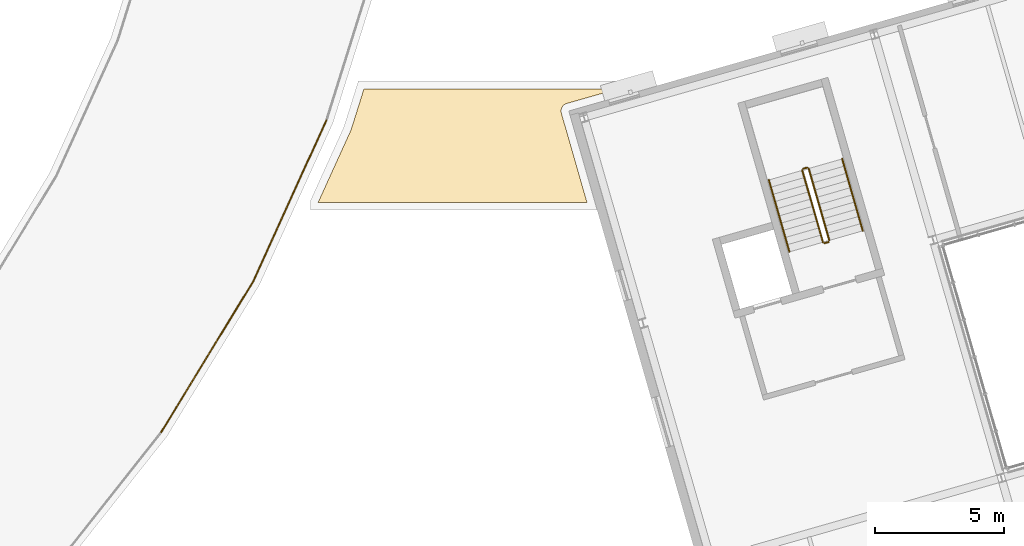
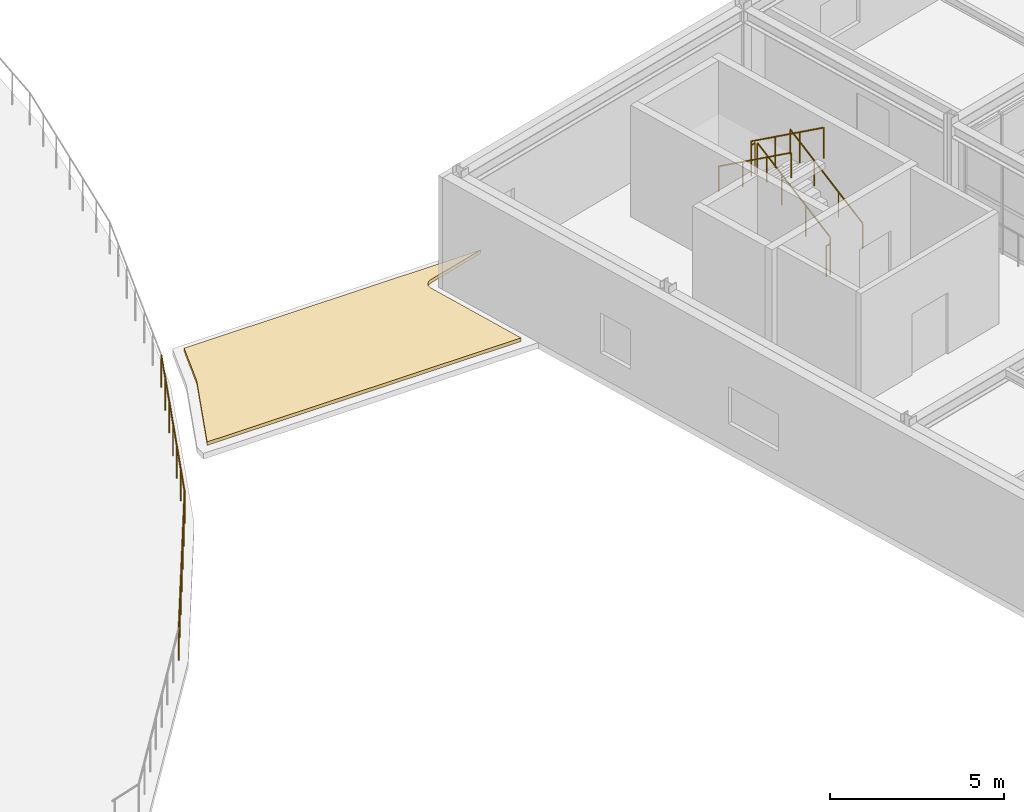
# One storey, part 50 of 59: 8 railings, 1 covering.
"""IFC4 building model written with IfcOpenShell, lengths in metres."""

from ifc_helpers import new_model, si_unit, direction, frame, origin, origin_2d, place, context, subcontext, project, spatial, polyline, circle, outline, extrude, material, layer, layer_set, type_object, element, save


model = new_model("IFC4")

# Units and contexts
model_context = context("Model", 3, precision=1e-05, world=origin(), true_north=direction((0.0, 1.0)))
body_context = subcontext(model_context, "Body", "Model", "MODEL_VIEW")
ifc_project = project(units=[si_unit("LENGTHUNIT", "METRE"), si_unit("AREAUNIT", "SQUARE_METRE"), si_unit("VOLUMEUNIT", "CUBIC_METRE"), si_unit("PLANEANGLEUNIT", "RADIAN"), si_unit("MASSUNIT", "GRAM", prefix="KILO")], contexts=[model_context])

# Site, building, storey
site_placement = place(None, origin())
site = spatial("IfcSite", under=ifc_project, at=site_placement, CompositionType="ELEMENT")
building_placement = place(site_placement, origin())
building = spatial("IfcBuilding", under=site, at=building_placement, Name="Varnklinge Art Gallery", CompositionType="ELEMENT")
storey_placement = place(building_placement, frame((0.0, 0.0, 9.52001953125)))
storey = spatial("IfcBuildingStorey", under=building, at=storey_placement, Name="L02", CompositionType="ELEMENT", Elevation=9.52001953125)

# Railings
ifc_material_1 = material(Name="Steel S355", Category="steel")
railing_type_1 = type_object("IfcRailingType", Name="GR-EXT", PredefinedType="GUARDRAIL", material=ifc_material_1)
railing_1_placement = place(storey_placement, frame((101.210205078125, 22.783203125, 0.0)))
element("IfcRailing", 1, at=railing_1_placement, inside=storey, type_object=railing_type_1, Name="L02 Roof Sculpture Garden Guardrail O02.1", PredefinedType="GUARDRAIL", context=body_context, shape_type="SweptSolid", body=[
    extrude(circle(Radius=0.02392578125, at=origin_2d()), frame((0.0, 0.0, 1.1259765625), z_axis=(0.520918310776, 0.853606533186, 0.0), x_axis=(-0.853606533186, 0.520918310776, 0.0)), (0.0, 0.0, 1.0), 6.854736328125),
    extrude(circle(Radius=0.02099609375, at=origin_2d()), origin(), (0.0, 0.0, 1.0), 1.101806640625),
    extrude(circle(Radius=0.02099609375, at=origin_2d()), frame((0.59521484375, 0.97509765625, 0.0)), (0.0, 0.0, 1.0), 1.101806640625),
    extrude(circle(Radius=0.02099609375, at=origin_2d()), frame((1.190185546875, 1.950439453125, 0.0)), (0.0, 0.0, 1.0), 1.101806640625),
    extrude(circle(Radius=0.02099609375, at=origin_2d()), frame((1.785400390625, 2.92578125, 0.0)), (0.0, 0.0, 1.0), 1.101806640625),
    extrude(circle(Radius=0.02099609375, at=origin_2d()), frame((2.380615234375, 3.90087890625, 0.0)), (0.0, 0.0, 1.0), 1.101806640625),
    extrude(circle(Radius=0.02099609375, at=origin_2d()), frame((2.9755859375, 4.8759765625, 0.0)), (0.0, 0.0, 1.0), 1.101806640625),
    extrude(circle(Radius=0.02099609375, at=origin_2d()), frame((3.57080078125, 5.851318359375, 0.0)), (0.0, 0.0, 1.0), 1.101806640625),
])
railing_2_placement = place(storey_placement, frame((104.781005859375, 28.634521484375, 0.0)))
element("IfcRailing", 2, at=railing_2_placement, inside=storey, type_object=railing_type_1, Name="L02 Roof Sculpture Garden Guardrail O03.1", PredefinedType="GUARDRAIL", context=body_context, shape_type="SweptSolid", body=[
    extrude(circle(Radius=0.02392578125, at=origin_2d()), frame((0.0, 0.0, 1.1259765625), z_axis=(0.413395061382, 0.910551768558, 0.0), x_axis=(-0.910551768558, 0.413395061382, 0.0)), (0.0, 0.0, 1.0), 6.85546875),
    extrude(circle(Radius=0.02099609375, at=origin_2d()), origin(), (0.0, 0.0, 1.0), 1.101806640625),
    extrude(circle(Radius=0.02099609375, at=origin_2d()), frame((0.472412109375, 1.040283203125, 0.0)), (0.0, 0.0, 1.0), 1.101806640625),
    extrude(circle(Radius=0.02099609375, at=origin_2d()), frame((0.944580078125, 2.080810546875, 0.0)), (0.0, 0.0, 1.0), 1.101806640625),
    extrude(circle(Radius=0.02099609375, at=origin_2d()), frame((1.4169921875, 3.12109375, 0.0)), (0.0, 0.0, 1.0), 1.101806640625),
    extrude(circle(Radius=0.02099609375, at=origin_2d()), frame((1.889404296875, 4.161376953125, 0.0)), (0.0, 0.0, 1.0), 1.101806640625),
    extrude(circle(Radius=0.02099609375, at=origin_2d()), frame((2.361572265625, 5.201904296875, 0.0)), (0.0, 0.0, 1.0), 1.101806640625),
    extrude(circle(Radius=0.02099609375, at=origin_2d()), frame((2.833984375, 6.2421875, 0.0)), (0.0, 0.0, 1.0), 1.101806640625),
])
ifc_material_2 = material(Name="Steel S355", Category="steel")
railing_type_2 = type_object("IfcRailingType", Name="GR-INT", PredefinedType="GUARDRAIL", material=ifc_material_2)
railing_3_placement = place(storey_placement, frame((127.11669921875, 30.222412109375, 0.18896484375)))
element("IfcRailing", 3, at=railing_3_placement, inside=storey, type_object=railing_type_2, Name="L02 ST-05 stair guard 1", PredefinedType="GUARDRAIL", context=body_context, shape_type="SweptSolid", body=[
    extrude(circle(Radius=0.02392578125, at=origin_2d()), frame((0.0, 0.0, 1.076171875), z_axis=(-0.230878289802, 0.80518274678, 0.546238006355), x_axis=(-0.961263007877, -0.275632780503, 0.0)), (0.0, 0.0, 1.0), 3.462158203125),
    extrude(circle(Radius=0.02099609375, at=origin_2d()), origin(), (0.0, 0.0, 1.0), 1.052001953125),
    extrude(circle(Radius=0.02099609375, at=origin_2d()), frame((-0.266357421875, 0.92919921875, 0.63037109375)), (0.0, 0.0, 1.0), 1.052001953125),
    extrude(circle(Radius=0.02099609375, at=origin_2d()), frame((-0.532958984375, 1.8583984375, 1.2607421875)), (0.0, 0.0, 1.0), 1.052001953125),
    extrude(circle(Radius=0.02099609375, at=origin_2d()), frame((-0.79931640625, 2.78759765625, 1.89111328125)), (0.0, 0.0, 1.0), 1.052001953125),
])
railing_4_placement = place(storey_placement, frame((126.255615234375, 33.044189453125, 2.080078125)))
element("IfcRailing", 4, at=railing_4_placement, inside=storey, type_object=railing_type_2, Name="L02 ST-05 stair guard 2", PredefinedType="GUARDRAIL", context=body_context, shape_type="SweptSolid", body=[
    extrude(circle(Radius=0.02392578125, at=origin_2d()), frame((0.0, 0.0, 1.076171875), z_axis=(-0.961523947641, -0.274721127897, 0.0), x_axis=(0.274721127897, -0.961523947641, 0.0)), (0.0, 0.0, 1.0), 0.159912109375),
    extrude(circle(Radius=0.02099609375, at=origin_2d()), origin(), (0.0, 0.0, 1.0), 1.052001953125),
    extrude(circle(Radius=0.02099609375, at=origin_2d()), frame((-0.15380859375, -0.0439453125, 0.0)), (0.0, 0.0, 1.0), 1.052001953125),
])
railing_5_placement = place(storey_placement, frame((126.067626953125, 32.938232421875, 2.26904296875)))
element("IfcRailing", 5, at=railing_5_placement, inside=storey, type_object=railing_type_2, Name="L02 ST-05 stair guard 3", PredefinedType="GUARDRAIL", context=body_context, shape_type="SweptSolid", body=[
    extrude(circle(Radius=0.02392578125, at=origin_2d()), frame((0.0, 0.0, 1.076171875), z_axis=(0.230887183174, -0.805213762213, 0.546188525866), x_axis=(0.961263007877, 0.275632780503, 0.0)), (0.0, 0.0, 1.0), 3.4619140625),
    extrude(circle(Radius=0.02099609375, at=origin_2d()), origin(), (0.0, 0.0, 1.0), 1.052001953125),
    extrude(circle(Radius=0.02099609375, at=origin_2d()), frame((0.266357421875, -0.92919921875, 0.63037109375)), (0.0, 0.0, 1.0), 1.052001953125),
    extrude(circle(Radius=0.02099609375, at=origin_2d()), frame((0.532958984375, -1.8583984375, 1.260498046875)), (0.0, 0.0, 1.0), 1.052001953125),
    extrude(circle(Radius=0.02099609375, at=origin_2d()), frame((0.79931640625, -2.78759765625, 1.890869140625)), (0.0, 0.0, 1.0), 1.052001953125),
])
railing_6_placement = place(storey_placement, frame((127.08251953125, 30.160400390625, 0.0)))
element("IfcRailing", 6, at=railing_6_placement, inside=storey, type_object=railing_type_2, Name="L02 ST-05 stair guard 4", PredefinedType="GUARDRAIL", context=body_context, shape_type="SweptSolid", body=[
    extrude(circle(Radius=0.02392578125, at=origin_2d()), frame((0.0, 0.0, 1.076171875), z_axis=(-0.961523947641, -0.274721127897, 0.0), x_axis=(0.274721127897, -0.961523947641, 0.0)), (0.0, 0.0, 1.0), 0.159912109375),
    extrude(circle(Radius=0.02099609375, at=origin_2d()), origin(), (0.0, 0.0, 1.0), 1.052001953125),
    extrude(circle(Radius=0.02099609375, at=origin_2d()), frame((-0.15380859375, -0.0439453125, 0.0)), (0.0, 0.0, 1.0), 1.052001953125),
])
ifc_material_3 = material(Name="Steel S355", Category="steel")
railing_type_3 = type_object("IfcRailingType", Name="HR-01", PredefinedType="HANDRAIL", material=ifc_material_3)
railing_7_placement = place(storey_placement, frame((128.41455078125, 30.594482421875, 0.18896484375)))
element("IfcRailing", 7, at=railing_7_placement, inside=storey, type_object=railing_type_3, Name="L02 ST-05 stair handrail 1", PredefinedType="HANDRAIL", context=body_context, shape_type="SweptSolid", body=[
    extrude(circle(Radius=0.02392578125, at=origin_2d()), frame((0.0, 0.0, 0.8759765625), z_axis=(-0.230878289802, 0.80518274678, 0.546238006355), x_axis=(-0.961263007877, -0.275632780503, 0.0)), (0.0, 0.0, 1.0), 3.462158203125),
    extrude(circle(Radius=0.02099609375, at=origin_2d()), origin(), (0.0, 0.0, 1.0), 0.851806640625),
    extrude(circle(Radius=0.02099609375, at=origin_2d()), frame((-0.266357421875, 0.92919921875, 0.63037109375)), (0.0, 0.0, 1.0), 0.851806640625),
    extrude(circle(Radius=0.02099609375, at=origin_2d()), frame((-0.532958984375, 1.8583984375, 1.2607421875)), (0.0, 0.0, 1.0), 0.851806640625),
    extrude(circle(Radius=0.02099609375, at=origin_2d()), frame((-0.79931640625, 2.78759765625, 1.89111328125)), (0.0, 0.0, 1.0), 0.851806640625),
])
railing_8_placement = place(storey_placement, frame((124.769775390625, 32.566162109375, 2.26904296875)))
element("IfcRailing", 8, at=railing_8_placement, inside=storey, type_object=railing_type_3, Name="L02 ST-05 stair handrail 2", PredefinedType="HANDRAIL", context=body_context, shape_type="SweptSolid", body=[
    extrude(circle(Radius=0.02392578125, at=origin_2d()), frame((0.0, 0.0, 0.8759765625), z_axis=(0.230887183174, -0.805213762213, 0.546188525866), x_axis=(0.961263007877, 0.275632780503, 0.0)), (0.0, 0.0, 1.0), 3.4619140625),
    extrude(circle(Radius=0.02099609375, at=origin_2d()), origin(), (0.0, 0.0, 1.0), 0.851806640625),
    extrude(circle(Radius=0.02099609375, at=origin_2d()), frame((0.266357421875, -0.92919921875, 0.63037109375)), (0.0, 0.0, 1.0), 0.851806640625),
    extrude(circle(Radius=0.02099609375, at=origin_2d()), frame((0.532958984375, -1.8583984375, 1.260498046875)), (0.0, 0.0, 1.0), 0.851806640625),
    extrude(circle(Radius=0.02099609375, at=origin_2d()), frame((0.79931640625, -2.78759765625, 1.890869140625)), (0.0, 0.0, 1.0), 0.851806640625),
])

# Covering
ifc_material_4 = material(Name="EPDM & Intensive Green Roof Build-up", Category="membrane")
ifc_layer = layer(ifc_material_4, 0.1201171875)
ifc_layer_set = layer_set([ifc_layer], Name="EPDM & Intensive Green Roof Build-up")
covering_type = type_object("IfcCoveringType", Name="RFG-GRN", PredefinedType="ROOFING", material=ifc_layer_set)
covering_placement = place(storey_placement, origin())
element("IfcCovering", 9, at=covering_placement, inside=storey, type_object=covering_type, Name="L02 Roof Covering 13", PredefinedType="ROOFING", context=body_context, shape_type="SweptSolid", body=[
    extrude(outline(polyline([(116.7265625, 35.1572265625), (116.7197265625, 35.185791015625), (116.7158203125, 35.215087890625), (116.71484375, 35.244384765625), (116.716796875, 35.27392578125), (116.7216796875, 35.302978515625), (116.729248046875, 35.331298828125), (116.739501953125, 35.35888671875), (116.75244140625, 35.38525390625), (116.76806640625, 35.410400390625), (116.785888671875, 35.43359375), (116.805908203125, 35.455078125), (116.828125, 35.474609375), (116.85205078125, 35.491943359375), (116.87744140625, 35.506591796875), (116.904296875, 35.518798828125), (116.93212890625, 35.5283203125), (118.926025390625, 36.10009765625), (109.074951171875, 36.10009765625), (108.5888671875, 34.552978515625), (108.582763671875, 34.535400390625), (108.563232421875, 34.484375), (108.556396484375, 34.4677734375), (107.300048828125, 31.70068359375), (107.300048828125, 31.699951171875), (117.718017578125, 31.699951171875), (116.7265625, 35.1572265625)])), origin(), (0.0, 0.0, 1.0), 0.119873046875),
])

save(model, "model.ifc")
